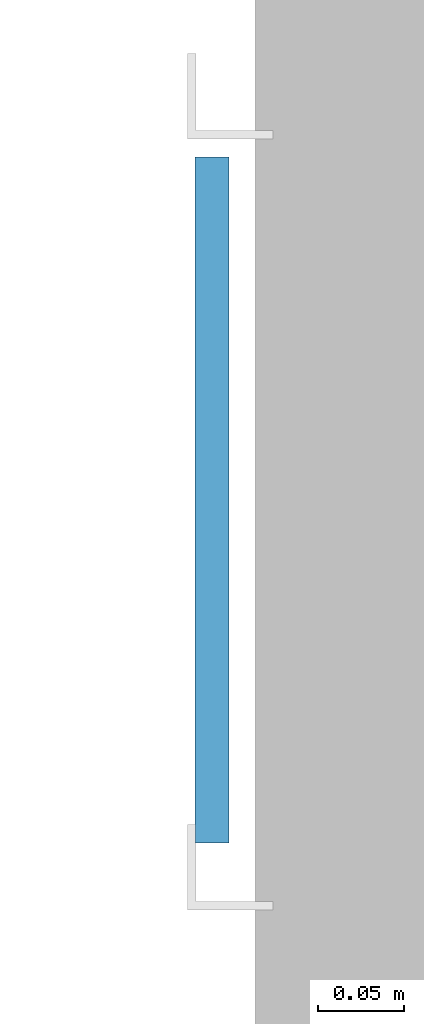
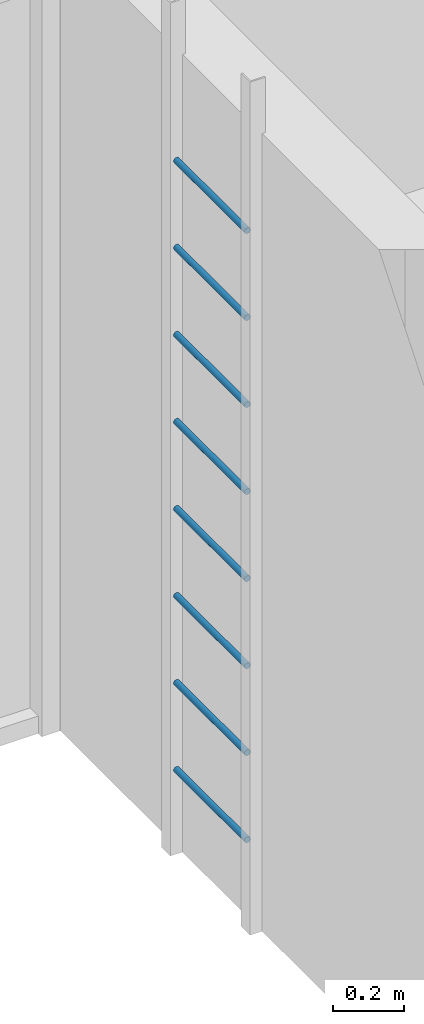
# One storey, part 22 of 55: 8 members.
"""IFC4 building model written with IfcOpenShell, lengths in metres."""

from ifc_helpers import new_model, si_unit, direction, frame, origin, origin_2d, place, context, subcontext, project, spatial, circle, extrude, material, material_profile, profile_set, type_object, element, save


model = new_model("IFC4")

# Units and contexts
model_context = context("Model", 3, precision=1e-05, world=origin(), true_north=direction((0.0, 1.0)))
body_context = subcontext(model_context, "Body", "Model", "MODEL_VIEW")
ifc_project = project(units=[si_unit("LENGTHUNIT", "METRE"), si_unit("AREAUNIT", "SQUARE_METRE"), si_unit("VOLUMEUNIT", "CUBIC_METRE"), si_unit("PLANEANGLEUNIT", "RADIAN"), si_unit("MASSUNIT", "GRAM", prefix="KILO")], contexts=[model_context])

# Site, building, storey
site_placement = place(None, origin())
site = spatial("IfcSite", under=ifc_project, at=site_placement, CompositionType="ELEMENT")
building_placement = place(site_placement, origin())
building = spatial("IfcBuilding", under=site, at=building_placement, Name="Ridgestep Commons", CompositionType="ELEMENT")
storey_placement = place(building_placement, frame((0.0, 0.0, 36.0)))
storey = spatial("IfcBuildingStorey", under=building, at=storey_placement, Name="L12", CompositionType="ELEMENT", Elevation=36.0)

# Members
ifc_material = material(Name="Structural steel S355JR", Category="steel")
ifc_material_profile = material_profile(ifc_material, circle(Radius=0.010009765625, at=origin_2d()), Name="Round bar 20")
ifc_profile_set = profile_set([ifc_material_profile], Name="Structural steel S355JR")
member_type = type_object("IfcMemberType", Name="Core ladder rung 20", PredefinedType="STRINGER", material=ifc_profile_set)
for number, where, z_axis, x_axis, name in (
    (1, (227.800048828125, 75.89990234375, 0.300048828125), (0.0, 1.0, 0.0), (-1.0, 0.0, 0.0), "Ladder rung C5C.1"),
    (2, (227.800048828125, 75.89990234375, 0.60009765625), (0.0, 1.0, 0.0), (-1.0, 0.0, 0.0), "Ladder rung C5C.2"),
    (3, (227.800048828125, 75.89990234375, 0.89990234375), (0.0, 1.0, 0.0), (-1.0, 0.0, 0.0), "Ladder rung C5C.3"),
    (4, (227.800048828125, 75.89990234375, 1.199951171875), (0.0, 1.0, 0.0), (-1.0, 0.0, 0.0), "Ladder rung C5C.4"),
    (5, (227.800048828125, 75.89990234375, 1.5), (0.0, 1.0, 0.0), (-1.0, 0.0, 0.0), "Ladder rung C5C.5"),
    (6, (227.800048828125, 75.89990234375, 1.800048828125), (0.0, 1.0, 0.0), (-1.0, 0.0, 0.0), "Ladder rung C5C.6"),
    (7, (227.800048828125, 75.89990234375, 2.10009765625), (0.0, 1.0, 0.0), (-1.0, 0.0, 0.0), "Ladder rung C5C.7"),
    (8, (227.800048828125, 75.89990234375, 2.39990234375), (0.0, 1.0, 0.0), (-1.0, 0.0, 0.0), "Ladder rung C5C.8"),
):
    element("IfcMember", number, at=place(storey_placement, frame(where, z_axis=z_axis, x_axis=x_axis)), inside=storey, type_object=member_type, Name=name, PredefinedType="STRINGER", context=body_context, shape_type="SweptSolid", body=[
        extrude(circle(Radius=0.010009765625, at=origin_2d()), origin(), (0.0, 0.0, 1.0), 0.400146484375),
    ])

save(model, "model.ifc")
